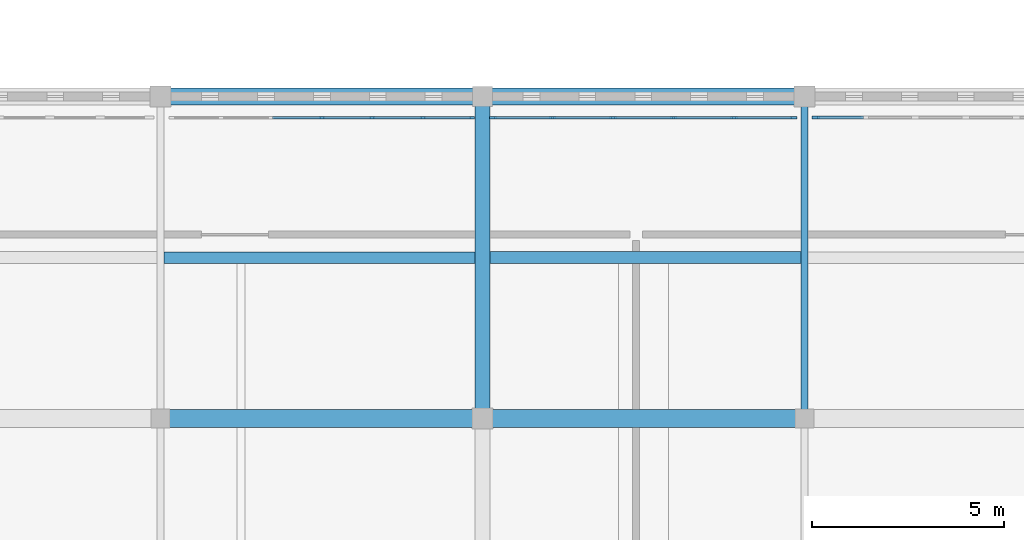
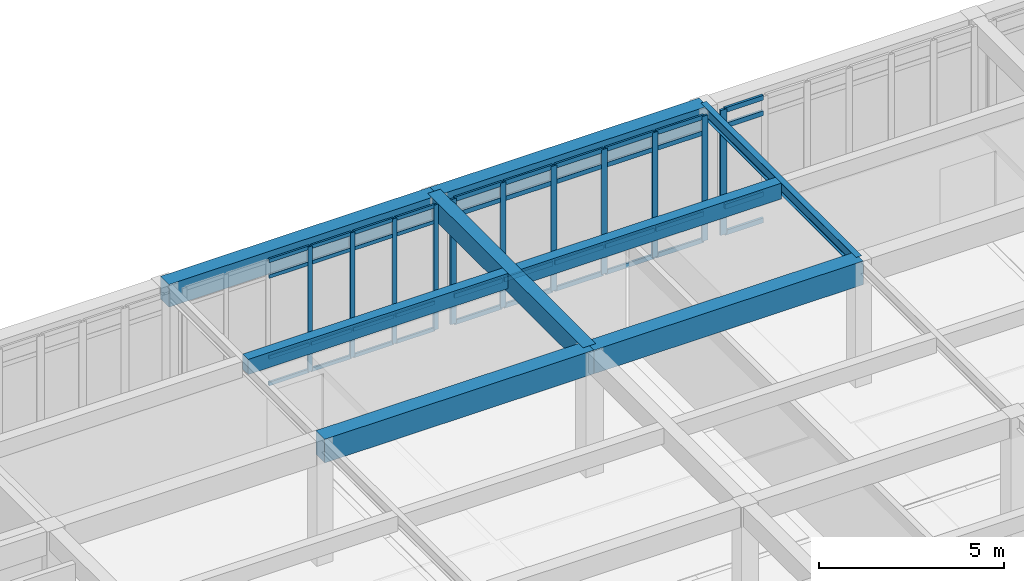
# One storey, part 62 of 192: 51 members, 8 beams, 3 elements without a shape of their own.
"""IFC4 building model written with IfcOpenShell, lengths in metres."""

from ifc_helpers import new_model, si_unit, direction, frame, origin, origin_2d, place, context, subcontext, project, spatial, rectangle, i_section, extrude, material, layer, layer_set, material_profile, profile_set, type_object, element, aggregate, save


model = new_model("IFC4")

# Units and contexts
model_context = context("Model", 3, precision=1e-05, world=origin(), true_north=direction((0.0, 1.0)))
body_context = subcontext(model_context, "Body", "Model", "MODEL_VIEW")
ifc_project = project(units=[si_unit("LENGTHUNIT", "METRE"), si_unit("AREAUNIT", "SQUARE_METRE"), si_unit("VOLUMEUNIT", "CUBIC_METRE"), si_unit("PLANEANGLEUNIT", "RADIAN"), si_unit("MASSUNIT", "GRAM", prefix="KILO")], contexts=[model_context])

# Site, building, storey
site_placement = place(None, origin())
site = spatial("IfcSite", under=ifc_project, at=site_placement, CompositionType="ELEMENT")
building_placement = place(site_placement, origin())
building = spatial("IfcBuilding", under=site, at=building_placement, Name="Kveldsbrygga Polytechnic", CompositionType="ELEMENT")
storey_placement = place(building_placement, frame((0.0, 0.0, 5.43994140625)))
storey = spatial("IfcBuildingStorey", under=building, at=storey_placement, Name="L01", CompositionType="ELEMENT", Elevation=5.43994140625)

# Beams
ifc_material_1 = material(Name="Concrete C35/45", Category="concrete")
ifc_material_profile_1 = material_profile(ifc_material_1, rectangle(XDim=0.39990234375, YDim=0.64990234375, at=origin_2d()), Name="RC 400x650")
ifc_profile_set_1 = profile_set([ifc_material_profile_1], Name="Concrete C35/45")
beam_type_1 = type_object("IfcBeamType", Name="BM-RC-400x650", PredefinedType="BEAM", material=ifc_profile_set_1)
beam_1_placement = place(storey_placement, frame((100.800048828125, 16.800048828125, 3.795166015625), z_axis=(0.0, 1.0, 0.0), x_axis=(-1.0, 0.0, 0.0)))
element("IfcBeam", 1, at=beam_1_placement, inside=storey, type_object=beam_type_1, Name="Primary Beam BMY-L01-12-02to03", PredefinedType="BEAM", context=body_context, shape_type="SweptSolid", body=[
    extrude(rectangle(XDim=0.39990234375, YDim=0.64990234375, at=origin_2d()), origin(), (0.0, 0.0, 1.0), 8.39990234375),
])
ifc_material_profile_2 = material_profile(ifc_material_1, rectangle(XDim=0.449951171875, YDim=0.75, at=origin_2d()), Name="RC 450x750")
ifc_profile_set_2 = profile_set([ifc_material_profile_2], Name="Concrete C35/45")
beam_type_2 = type_object("IfcBeamType", Name="BM-RC-450x750", PredefinedType="BEAM", material=ifc_profile_set_2)
beam_2_placement = place(storey_placement, frame((92.39990234375, 25.199951171875, 3.7451171875), z_axis=(1.0, 0.0, 0.0), x_axis=(0.0, 1.0, 0.0)))
element("IfcBeam", 2, at=beam_2_placement, inside=storey, type_object=beam_type_2, Name="Primary Beam BMX-L01-11to12-03", PredefinedType="BEAM", context=body_context, shape_type="SweptSolid", body=[
    extrude(rectangle(XDim=0.449951171875, YDim=0.75, at=origin_2d()), origin(), (0.0, 0.0, 1.0), 8.400146484375),
])
beam_3_placement = place(storey_placement, frame((100.800048828125, 25.199951171875, 3.7451171875), z_axis=(1.0, 0.0, 0.0), x_axis=(0.0, 1.0, 0.0)))
element("IfcBeam", 3, at=beam_3_placement, inside=storey, type_object=beam_type_2, Name="Primary Beam BMX-L01-12to13-03", PredefinedType="BEAM", context=body_context, shape_type="SweptSolid", body=[
    extrude(rectangle(XDim=0.449951171875, YDim=0.75, at=origin_2d()), origin(), (0.0, 0.0, 1.0), 8.39990234375),
])
ifc_material_profile_3 = material_profile(ifc_material_1, rectangle(XDim=0.47998046875, YDim=0.780029296875, at=origin_2d()), Name="RC 480x780")
ifc_profile_set_3 = profile_set([ifc_material_profile_3], Name="Concrete C35/45")
beam_type_3 = type_object("IfcBeamType", Name="BM-RC-480x780", PredefinedType="BEAM", material=ifc_profile_set_3)
beam_4_placement = place(storey_placement, frame((92.39990234375, 16.800048828125, 3.72998046875), z_axis=(1.0, 0.0, 0.0), x_axis=(0.0, 1.0, 0.0)))
element("IfcBeam", 4, at=beam_4_placement, inside=storey, type_object=beam_type_3, Name="Primary Beam BMX-L01-11to12-02", PredefinedType="BEAM", context=body_context, shape_type="SweptSolid", body=[
    extrude(rectangle(XDim=0.47998046875, YDim=0.780029296875, at=origin_2d()), origin(), (0.0, 0.0, 1.0), 8.400146484375),
])
beam_5_placement = place(storey_placement, frame((100.800048828125, 16.800048828125, 3.72998046875), z_axis=(1.0, 0.0, 0.0), x_axis=(0.0, 1.0, 0.0)))
element("IfcBeam", 5, at=beam_5_placement, inside=storey, type_object=beam_type_3, Name="Primary Beam BMX-L01-12to13-02", PredefinedType="BEAM", context=body_context, shape_type="SweptSolid", body=[
    extrude(rectangle(XDim=0.47998046875, YDim=0.780029296875, at=origin_2d()), origin(), (0.0, 0.0, 1.0), 8.39990234375),
])
ifc_material_2 = material(Name="Steel S355", Category="steel")
ifc_material_profile_4 = material_profile(ifc_material_2, i_section(OverallWidth=0.179931640625, OverallDepth=0.39990234375, WebThickness=0.008544921875, FlangeThickness=0.013427734375, FilletRadius=0.02099609375, at=origin_2d()), Name="IPE 400")
ifc_profile_set_4 = profile_set([ifc_material_profile_4], Name="Steel S355")
beam_type_4 = type_object("IfcBeamType", Name="BM-STL-IPE400", PredefinedType="BEAM", material=ifc_profile_set_4)
beam_6_placement = place(storey_placement, frame((109.199951171875, 16.800048828125, 3.920166015625), z_axis=(0.0, 1.0, 0.0), x_axis=(-1.0, 0.0, 0.0)))
element("IfcBeam", 6, at=beam_6_placement, inside=storey, type_object=beam_type_4, Name="Primary Beam BMY-L01-13-02to03", PredefinedType="BEAM", context=body_context, shape_type="SweptSolid", body=[
    extrude(i_section(OverallWidth=0.179931640625, OverallDepth=0.39990234375, WebThickness=0.008544921875, FlangeThickness=0.013427734375, FilletRadius=0.02099609375, at=origin_2d()), origin(), (0.0, 0.0, 1.0), 8.39990234375),
])

# Curtain wall, members
ifc_material_3 = material(Name="Anodised aluminium AW-6060", Category="aluminium")
ifc_layer_1 = layer(ifc_material_3, 0.179931640625)
ifc_layer_set_1 = layer_set([ifc_layer_1], Name="Anodised aluminium AW-6060")
curtain_wall_type_1 = type_object("IfcCurtainWallType", Name="CW-CONC-A", PredefinedType="USERDEFINED", material=ifc_layer_set_1)
curtain_wall_1_placement = place(storey_placement, origin())
curtain_wall_1 = element("IfcCurtainWall", 7, at=curtain_wall_1_placement, inside=storey, type_object=curtain_wall_type_1, Name="Curtain Wall CW-L01-X-11-03", ObjectType="UNITISED CURTAIN WALL", PredefinedType="USERDEFINED")
ifc_material_profile_5 = material_profile(ifc_material_3, rectangle(XDim=0.06005859375, YDim=0.139892578125, at=origin_2d()), Name="ALU 60x140")
ifc_profile_set_5 = profile_set([ifc_material_profile_5], Name="Anodised aluminium AW-6060")
member_type_1 = type_object("IfcMemberType", Name="CW-MUL-140", PredefinedType="MULLION", material=ifc_profile_set_5)
member_1_placement = place(storey_placement, frame((96.607421875, 24.64990234375, 0.0), z_axis=(0.0, 0.0, 1.0), x_axis=(0.0, 1.0, 0.0)))
member_1 = element("IfcMember", 8, at=member_1_placement, type_object=member_type_1, Name="CW-01 mullion 4", PredefinedType="MULLION", context=body_context, shape_type="SweptSolid", body=[
    extrude(rectangle(XDim=0.06005859375, YDim=0.139892578125, at=origin_2d()), origin(), (0.0, 0.0, 1.0), 4.1201171875),
])
member_2_placement = place(storey_placement, frame((97.92333984375, 24.64990234375, 0.0), z_axis=(0.0, 0.0, 1.0), x_axis=(0.0, 1.0, 0.0)))
member_2 = element("IfcMember", 9, at=member_2_placement, type_object=member_type_1, Name="CW-01 mullion 5", PredefinedType="MULLION", context=body_context, shape_type="SweptSolid", body=[
    extrude(rectangle(XDim=0.06005859375, YDim=0.139892578125, at=origin_2d()), origin(), (0.0, 0.0, 1.0), 4.1201171875),
])
member_3_placement = place(storey_placement, frame((99.2392578125, 24.64990234375, 0.0), z_axis=(0.0, 0.0, 1.0), x_axis=(0.0, 1.0, 0.0)))
member_3 = element("IfcMember", 10, at=member_3_placement, type_object=member_type_1, Name="CW-01 mullion 6", PredefinedType="MULLION", context=body_context, shape_type="SweptSolid", body=[
    extrude(rectangle(XDim=0.06005859375, YDim=0.139892578125, at=origin_2d()), origin(), (0.0, 0.0, 1.0), 4.1201171875),
])
member_4_placement = place(storey_placement, frame((100.52490234375, 24.64990234375, 0.0), z_axis=(0.0, 0.0, 1.0), x_axis=(0.0, 1.0, 0.0)))
member_4 = element("IfcMember", 11, at=member_4_placement, type_object=member_type_1, Name="CW-01 mullion 7", PredefinedType="MULLION", context=body_context, shape_type="SweptSolid", body=[
    extrude(rectangle(XDim=0.06005859375, YDim=0.139892578125, at=origin_2d()), origin(), (0.0, 0.0, 1.0), 4.1201171875),
])

ifc_layer_2 = layer(ifc_material_3, 0.199951171875)
ifc_layer_set_2 = layer_set([ifc_layer_2], Name="Anodised aluminium AW-6060")
curtain_wall_type_2 = type_object("IfcCurtainWallType", Name="CW-CONC-B", PredefinedType="USERDEFINED", material=ifc_layer_set_2)
curtain_wall_2_placement = place(storey_placement, origin())
curtain_wall_2 = element("IfcCurtainWall", 12, at=curtain_wall_2_placement, inside=storey, type_object=curtain_wall_type_2, Name="Curtain Wall CW-L01-X-12-03", ObjectType="UNITISED CURTAIN WALL", PredefinedType="USERDEFINED")
ifc_material_profile_6 = material_profile(ifc_material_3, rectangle(XDim=0.06005859375, YDim=0.179931640625, at=origin_2d()), Name="ALU 60x180")
ifc_profile_set_6 = profile_set([ifc_material_profile_6], Name="Anodised aluminium AW-6060")
member_type_2 = type_object("IfcMemberType", Name="CW-MUL-180", PredefinedType="MULLION", material=ifc_profile_set_6)
member_5_placement = place(storey_placement, frame((101.074951171875, 24.64990234375, 0.0), z_axis=(0.0, 0.0, 1.0), x_axis=(0.0, 1.0, 0.0)))
member_5 = element("IfcMember", 13, at=member_5_placement, type_object=member_type_2, Name="CW-02 mullion 1", PredefinedType="MULLION", context=body_context, shape_type="SweptSolid", body=[
    extrude(rectangle(XDim=0.06005859375, YDim=0.179931640625, at=origin_2d()), origin(), (0.0, 0.0, 1.0), 4.1201171875),
])
member_6_placement = place(storey_placement, frame((102.6240234375, 24.64990234375, 0.0), z_axis=(0.0, 0.0, 1.0), x_axis=(0.0, 1.0, 0.0)))
member_6 = element("IfcMember", 14, at=member_6_placement, type_object=member_type_2, Name="CW-02 mullion 2", PredefinedType="MULLION", context=body_context, shape_type="SweptSolid", body=[
    extrude(rectangle(XDim=0.06005859375, YDim=0.179931640625, at=origin_2d()), origin(), (0.0, 0.0, 1.0), 4.1201171875),
])
member_7_placement = place(storey_placement, frame((104.202880859375, 24.64990234375, 0.0), z_axis=(0.0, 0.0, 1.0), x_axis=(0.0, 1.0, 0.0)))
member_7 = element("IfcMember", 15, at=member_7_placement, type_object=member_type_2, Name="CW-02 mullion 3", PredefinedType="MULLION", context=body_context, shape_type="SweptSolid", body=[
    extrude(rectangle(XDim=0.06005859375, YDim=0.179931640625, at=origin_2d()), origin(), (0.0, 0.0, 1.0), 4.1201171875),
])
member_8_placement = place(storey_placement, frame((105.781982421875, 24.64990234375, 0.0), z_axis=(0.0, 0.0, 1.0), x_axis=(0.0, 1.0, 0.0)))
member_8 = element("IfcMember", 16, at=member_8_placement, type_object=member_type_2, Name="CW-02 mullion 4", PredefinedType="MULLION", context=body_context, shape_type="SweptSolid", body=[
    extrude(rectangle(XDim=0.06005859375, YDim=0.179931640625, at=origin_2d()), origin(), (0.0, 0.0, 1.0), 4.1201171875),
])
member_9_placement = place(storey_placement, frame((107.361083984375, 24.64990234375, 0.0), z_axis=(0.0, 0.0, 1.0), x_axis=(0.0, 1.0, 0.0)))
member_9 = element("IfcMember", 17, at=member_9_placement, type_object=member_type_2, Name="CW-02 mullion 5", PredefinedType="MULLION", context=body_context, shape_type="SweptSolid", body=[
    extrude(rectangle(XDim=0.06005859375, YDim=0.179931640625, at=origin_2d()), origin(), (0.0, 0.0, 1.0), 4.1201171875),
])
member_10_placement = place(storey_placement, frame((108.909912109375, 24.64990234375, 0.0), z_axis=(0.0, 0.0, 1.0), x_axis=(0.0, 1.0, 0.0)))
member_10 = element("IfcMember", 18, at=member_10_placement, type_object=member_type_2, Name="CW-02 mullion 6", PredefinedType="MULLION", context=body_context, shape_type="SweptSolid", body=[
    extrude(rectangle(XDim=0.06005859375, YDim=0.179931640625, at=origin_2d()), origin(), (0.0, 0.0, 1.0), 4.1201171875),
])

# Curtain wall, member
ifc_layer_3 = layer(ifc_material_3, 0.159912109375)
ifc_layer_set_3 = layer_set([ifc_layer_3], Name="Anodised aluminium AW-6060")
curtain_wall_type_3 = type_object("IfcCurtainWallType", Name="CW-CLER-C", PredefinedType="USERDEFINED", material=ifc_layer_set_3)
curtain_wall_3_placement = place(storey_placement, origin())
curtain_wall_3 = element("IfcCurtainWall", 19, at=curtain_wall_3_placement, inside=storey, type_object=curtain_wall_type_3, Name="Curtain Wall CW-L01-X-13-03", ObjectType="STICK CURTAIN WALL", PredefinedType="USERDEFINED")
ifc_material_profile_7 = material_profile(ifc_material_3, rectangle(XDim=0.074951171875, YDim=0.199951171875, at=origin_2d()), Name="ALU 75x200")
ifc_profile_set_7 = profile_set([ifc_material_profile_7], Name="Anodised aluminium AW-6060")
member_type_3 = type_object("IfcMemberType", Name="CW-MUL-200", PredefinedType="MULLION", material=ifc_profile_set_7)
member_11_placement = place(storey_placement, frame((109.49755859375, 24.64990234375, 0.0), z_axis=(0.0, 0.0, 1.0), x_axis=(0.0, 1.0, 0.0)))
member_11 = element("IfcMember", 20, at=member_11_placement, type_object=member_type_3, Name="CW-03 mullion 1", PredefinedType="MULLION", context=body_context, shape_type="SweptSolid", body=[
    extrude(rectangle(XDim=0.074951171875, YDim=0.199951171875, at=origin_2d()), origin(), (0.0, 0.0, 1.0), 4.1201171875),
])

# Member
ifc_material_profile_8 = material_profile(ifc_material_3, rectangle(XDim=0.06005859375, YDim=0.1201171875, at=origin_2d()), Name="ALU 60x120")
ifc_profile_set_8 = profile_set([ifc_material_profile_8], Name="Anodised aluminium AW-6060")
member_type_4 = type_object("IfcMemberType", Name="CW-TRN-120", PredefinedType="USERDEFINED", material=ifc_profile_set_8)
member_12_placement = place(storey_placement, frame((95.32177734375, 24.64990234375, 0.030029296875), z_axis=(1.0, 0.0, 0.0), x_axis=(0.0, 1.0, 0.0)))
member_12 = element("IfcMember", 21, at=member_12_placement, type_object=member_type_4, Name="CW-01 transom 3.1", ObjectType="TRANSOM", PredefinedType="USERDEFINED", context=body_context, shape_type="SweptSolid", body=[
    extrude(rectangle(XDim=0.06005859375, YDim=0.1201171875, at=origin_2d()), origin(), (0.0, 0.0, 1.0), 1.255615234375),
])

member_13_placement = place(storey_placement, frame((95.32177734375, 24.64990234375, 0.900146484375), z_axis=(1.0, 0.0, 0.0), x_axis=(0.0, 1.0, 0.0)))
member_13 = element("IfcMember", 22, at=member_13_placement, type_object=member_type_4, Name="CW-01 transom 3.2", ObjectType="TRANSOM", PredefinedType="USERDEFINED", context=body_context, shape_type="SweptSolid", body=[
    extrude(rectangle(XDim=0.06005859375, YDim=0.1201171875, at=origin_2d()), origin(), (0.0, 0.0, 1.0), 1.255615234375),
])

member_14_placement = place(storey_placement, frame((95.32177734375, 24.64990234375, 3.570068359375), z_axis=(1.0, 0.0, 0.0), x_axis=(0.0, 1.0, 0.0)))
member_14 = element("IfcMember", 23, at=member_14_placement, type_object=member_type_4, Name="CW-01 transom 3.3", ObjectType="TRANSOM", PredefinedType="USERDEFINED", context=body_context, shape_type="SweptSolid", body=[
    extrude(rectangle(XDim=0.06005859375, YDim=0.1201171875, at=origin_2d()), origin(), (0.0, 0.0, 1.0), 1.255615234375),
])

member_15_placement = place(storey_placement, frame((95.32177734375, 24.64990234375, 4.090087890625), z_axis=(1.0, 0.0, 0.0), x_axis=(0.0, 1.0, 0.0)))
member_15 = element("IfcMember", 24, at=member_15_placement, type_object=member_type_4, Name="CW-01 transom 3.4", ObjectType="TRANSOM", PredefinedType="USERDEFINED", context=body_context, shape_type="SweptSolid", body=[
    extrude(rectangle(XDim=0.06005859375, YDim=0.1201171875, at=origin_2d()), origin(), (0.0, 0.0, 1.0), 1.255615234375),
])

member_16_placement = place(storey_placement, frame((96.637451171875, 24.64990234375, 0.030029296875), z_axis=(1.0, 0.0, 0.0), x_axis=(0.0, 1.0, 0.0)))
member_16 = element("IfcMember", 25, at=member_16_placement, type_object=member_type_4, Name="CW-01 transom 4.1", ObjectType="TRANSOM", PredefinedType="USERDEFINED", context=body_context, shape_type="SweptSolid", body=[
    extrude(rectangle(XDim=0.06005859375, YDim=0.1201171875, at=origin_2d()), origin(), (0.0, 0.0, 1.0), 1.255859375),
])

member_17_placement = place(storey_placement, frame((96.637451171875, 24.64990234375, 0.900146484375), z_axis=(1.0, 0.0, 0.0), x_axis=(0.0, 1.0, 0.0)))
member_17 = element("IfcMember", 26, at=member_17_placement, type_object=member_type_4, Name="CW-01 transom 4.2", ObjectType="TRANSOM", PredefinedType="USERDEFINED", context=body_context, shape_type="SweptSolid", body=[
    extrude(rectangle(XDim=0.06005859375, YDim=0.1201171875, at=origin_2d()), origin(), (0.0, 0.0, 1.0), 1.255859375),
])

member_18_placement = place(storey_placement, frame((96.637451171875, 24.64990234375, 3.570068359375), z_axis=(1.0, 0.0, 0.0), x_axis=(0.0, 1.0, 0.0)))
member_18 = element("IfcMember", 27, at=member_18_placement, type_object=member_type_4, Name="CW-01 transom 4.3", ObjectType="TRANSOM", PredefinedType="USERDEFINED", context=body_context, shape_type="SweptSolid", body=[
    extrude(rectangle(XDim=0.06005859375, YDim=0.1201171875, at=origin_2d()), origin(), (0.0, 0.0, 1.0), 1.255859375),
])

member_19_placement = place(storey_placement, frame((96.637451171875, 24.64990234375, 4.090087890625), z_axis=(1.0, 0.0, 0.0), x_axis=(0.0, 1.0, 0.0)))
member_19 = element("IfcMember", 28, at=member_19_placement, type_object=member_type_4, Name="CW-01 transom 4.4", ObjectType="TRANSOM", PredefinedType="USERDEFINED", context=body_context, shape_type="SweptSolid", body=[
    extrude(rectangle(XDim=0.06005859375, YDim=0.1201171875, at=origin_2d()), origin(), (0.0, 0.0, 1.0), 1.255859375),
])

member_20_placement = place(storey_placement, frame((97.953369140625, 24.64990234375, 0.030029296875), z_axis=(1.0, 0.0, 0.0), x_axis=(0.0, 1.0, 0.0)))
member_20 = element("IfcMember", 29, at=member_20_placement, type_object=member_type_4, Name="CW-01 transom 5.1", ObjectType="TRANSOM", PredefinedType="USERDEFINED", context=body_context, shape_type="SweptSolid", body=[
    extrude(rectangle(XDim=0.06005859375, YDim=0.1201171875, at=origin_2d()), origin(), (0.0, 0.0, 1.0), 1.255859375),
])

member_21_placement = place(storey_placement, frame((97.953369140625, 24.64990234375, 0.900146484375), z_axis=(1.0, 0.0, 0.0), x_axis=(0.0, 1.0, 0.0)))
member_21 = element("IfcMember", 30, at=member_21_placement, type_object=member_type_4, Name="CW-01 transom 5.2", ObjectType="TRANSOM", PredefinedType="USERDEFINED", context=body_context, shape_type="SweptSolid", body=[
    extrude(rectangle(XDim=0.06005859375, YDim=0.1201171875, at=origin_2d()), origin(), (0.0, 0.0, 1.0), 1.255859375),
])

member_22_placement = place(storey_placement, frame((97.953369140625, 24.64990234375, 3.570068359375), z_axis=(1.0, 0.0, 0.0), x_axis=(0.0, 1.0, 0.0)))
member_22 = element("IfcMember", 31, at=member_22_placement, type_object=member_type_4, Name="CW-01 transom 5.3", ObjectType="TRANSOM", PredefinedType="USERDEFINED", context=body_context, shape_type="SweptSolid", body=[
    extrude(rectangle(XDim=0.06005859375, YDim=0.1201171875, at=origin_2d()), origin(), (0.0, 0.0, 1.0), 1.255859375),
])

member_23_placement = place(storey_placement, frame((97.953369140625, 24.64990234375, 4.090087890625), z_axis=(1.0, 0.0, 0.0), x_axis=(0.0, 1.0, 0.0)))
member_23 = element("IfcMember", 32, at=member_23_placement, type_object=member_type_4, Name="CW-01 transom 5.4", ObjectType="TRANSOM", PredefinedType="USERDEFINED", context=body_context, shape_type="SweptSolid", body=[
    extrude(rectangle(XDim=0.06005859375, YDim=0.1201171875, at=origin_2d()), origin(), (0.0, 0.0, 1.0), 1.255859375),
])

member_24_placement = place(storey_placement, frame((99.269287109375, 24.64990234375, 0.030029296875), z_axis=(1.0, 0.0, 0.0), x_axis=(0.0, 1.0, 0.0)))
member_24 = element("IfcMember", 33, at=member_24_placement, type_object=member_type_4, Name="CW-01 transom 6.1", ObjectType="TRANSOM", PredefinedType="USERDEFINED", context=body_context, shape_type="SweptSolid", body=[
    extrude(rectangle(XDim=0.06005859375, YDim=0.1201171875, at=origin_2d()), origin(), (0.0, 0.0, 1.0), 1.225830078125),
])

member_25_placement = place(storey_placement, frame((99.269287109375, 24.64990234375, 0.900146484375), z_axis=(1.0, 0.0, 0.0), x_axis=(0.0, 1.0, 0.0)))
member_25 = element("IfcMember", 34, at=member_25_placement, type_object=member_type_4, Name="CW-01 transom 6.2", ObjectType="TRANSOM", PredefinedType="USERDEFINED", context=body_context, shape_type="SweptSolid", body=[
    extrude(rectangle(XDim=0.06005859375, YDim=0.1201171875, at=origin_2d()), origin(), (0.0, 0.0, 1.0), 1.225830078125),
])

member_26_placement = place(storey_placement, frame((99.269287109375, 24.64990234375, 3.570068359375), z_axis=(1.0, 0.0, 0.0), x_axis=(0.0, 1.0, 0.0)))
member_26 = element("IfcMember", 35, at=member_26_placement, type_object=member_type_4, Name="CW-01 transom 6.3", ObjectType="TRANSOM", PredefinedType="USERDEFINED", context=body_context, shape_type="SweptSolid", body=[
    extrude(rectangle(XDim=0.06005859375, YDim=0.1201171875, at=origin_2d()), origin(), (0.0, 0.0, 1.0), 1.225830078125),
])

member_27_placement = place(storey_placement, frame((99.269287109375, 24.64990234375, 4.090087890625), z_axis=(1.0, 0.0, 0.0), x_axis=(0.0, 1.0, 0.0)))
member_27 = element("IfcMember", 36, at=member_27_placement, type_object=member_type_4, Name="CW-01 transom 6.4", ObjectType="TRANSOM", PredefinedType="USERDEFINED", context=body_context, shape_type="SweptSolid", body=[
    extrude(rectangle(XDim=0.06005859375, YDim=0.1201171875, at=origin_2d()), origin(), (0.0, 0.0, 1.0), 1.225830078125),
])

aggregate(curtain_wall_1, [member_1, member_2, member_3, member_4, member_12, member_13, member_14, member_15, member_16, member_17, member_18, member_19, member_20, member_21, member_22, member_23, member_24, member_25, member_26, member_27])

ifc_material_profile_9 = material_profile(ifc_material_3, rectangle(XDim=0.06005859375, YDim=0.14990234375, at=origin_2d()), Name="ALU 60x150")
ifc_profile_set_9 = profile_set([ifc_material_profile_9], Name="Anodised aluminium AW-6060")
member_type_5 = type_object("IfcMemberType", Name="CW-TRN-150", PredefinedType="USERDEFINED", material=ifc_profile_set_9)
member_28_placement = place(storey_placement, frame((101.10498046875, 24.64990234375, 0.030029296875), z_axis=(1.0, 0.0, 0.0), x_axis=(0.0, 1.0, 0.0)))
member_28 = element("IfcMember", 37, at=member_28_placement, type_object=member_type_5, Name="CW-02 transom 1.1", ObjectType="TRANSOM", PredefinedType="USERDEFINED", context=body_context, shape_type="SweptSolid", body=[
    extrude(rectangle(XDim=0.06005859375, YDim=0.14990234375, at=origin_2d()), origin(), (0.0, 0.0, 1.0), 1.489013671875),
])

member_29_placement = place(storey_placement, frame((101.10498046875, 24.64990234375, 0.900146484375), z_axis=(1.0, 0.0, 0.0), x_axis=(0.0, 1.0, 0.0)))
member_29 = element("IfcMember", 38, at=member_29_placement, type_object=member_type_5, Name="CW-02 transom 1.2", ObjectType="TRANSOM", PredefinedType="USERDEFINED", context=body_context, shape_type="SweptSolid", body=[
    extrude(rectangle(XDim=0.06005859375, YDim=0.14990234375, at=origin_2d()), origin(), (0.0, 0.0, 1.0), 1.489013671875),
])

member_30_placement = place(storey_placement, frame((101.10498046875, 24.64990234375, 3.570068359375), z_axis=(1.0, 0.0, 0.0), x_axis=(0.0, 1.0, 0.0)))
member_30 = element("IfcMember", 39, at=member_30_placement, type_object=member_type_5, Name="CW-02 transom 1.3", ObjectType="TRANSOM", PredefinedType="USERDEFINED", context=body_context, shape_type="SweptSolid", body=[
    extrude(rectangle(XDim=0.06005859375, YDim=0.14990234375, at=origin_2d()), origin(), (0.0, 0.0, 1.0), 1.489013671875),
])

member_31_placement = place(storey_placement, frame((101.10498046875, 24.64990234375, 4.090087890625), z_axis=(1.0, 0.0, 0.0), x_axis=(0.0, 1.0, 0.0)))
member_31 = element("IfcMember", 40, at=member_31_placement, type_object=member_type_5, Name="CW-02 transom 1.4", ObjectType="TRANSOM", PredefinedType="USERDEFINED", context=body_context, shape_type="SweptSolid", body=[
    extrude(rectangle(XDim=0.06005859375, YDim=0.14990234375, at=origin_2d()), origin(), (0.0, 0.0, 1.0), 1.489013671875),
])

member_32_placement = place(storey_placement, frame((102.654052734375, 24.64990234375, 0.030029296875), z_axis=(1.0, 0.0, 0.0), x_axis=(0.0, 1.0, 0.0)))
member_32 = element("IfcMember", 41, at=member_32_placement, type_object=member_type_5, Name="CW-02 transom 2.1", ObjectType="TRANSOM", PredefinedType="USERDEFINED", context=body_context, shape_type="SweptSolid", body=[
    extrude(rectangle(XDim=0.06005859375, YDim=0.14990234375, at=origin_2d()), origin(), (0.0, 0.0, 1.0), 1.51904296875),
])

member_33_placement = place(storey_placement, frame((102.654052734375, 24.64990234375, 0.900146484375), z_axis=(1.0, 0.0, 0.0), x_axis=(0.0, 1.0, 0.0)))
member_33 = element("IfcMember", 42, at=member_33_placement, type_object=member_type_5, Name="CW-02 transom 2.2", ObjectType="TRANSOM", PredefinedType="USERDEFINED", context=body_context, shape_type="SweptSolid", body=[
    extrude(rectangle(XDim=0.06005859375, YDim=0.14990234375, at=origin_2d()), origin(), (0.0, 0.0, 1.0), 1.51904296875),
])

member_34_placement = place(storey_placement, frame((102.654052734375, 24.64990234375, 3.570068359375), z_axis=(1.0, 0.0, 0.0), x_axis=(0.0, 1.0, 0.0)))
member_34 = element("IfcMember", 43, at=member_34_placement, type_object=member_type_5, Name="CW-02 transom 2.3", ObjectType="TRANSOM", PredefinedType="USERDEFINED", context=body_context, shape_type="SweptSolid", body=[
    extrude(rectangle(XDim=0.06005859375, YDim=0.14990234375, at=origin_2d()), origin(), (0.0, 0.0, 1.0), 1.51904296875),
])

member_35_placement = place(storey_placement, frame((102.654052734375, 24.64990234375, 4.090087890625), z_axis=(1.0, 0.0, 0.0), x_axis=(0.0, 1.0, 0.0)))
member_35 = element("IfcMember", 44, at=member_35_placement, type_object=member_type_5, Name="CW-02 transom 2.4", ObjectType="TRANSOM", PredefinedType="USERDEFINED", context=body_context, shape_type="SweptSolid", body=[
    extrude(rectangle(XDim=0.06005859375, YDim=0.14990234375, at=origin_2d()), origin(), (0.0, 0.0, 1.0), 1.51904296875),
])

member_36_placement = place(storey_placement, frame((104.23291015625, 24.64990234375, 0.030029296875), z_axis=(1.0, 0.0, 0.0), x_axis=(0.0, 1.0, 0.0)))
member_36 = element("IfcMember", 45, at=member_36_placement, type_object=member_type_5, Name="CW-02 transom 3.1", ObjectType="TRANSOM", PredefinedType="USERDEFINED", context=body_context, shape_type="SweptSolid", body=[
    extrude(rectangle(XDim=0.06005859375, YDim=0.14990234375, at=origin_2d()), origin(), (0.0, 0.0, 1.0), 1.51904296875),
])

member_37_placement = place(storey_placement, frame((104.23291015625, 24.64990234375, 0.900146484375), z_axis=(1.0, 0.0, 0.0), x_axis=(0.0, 1.0, 0.0)))
member_37 = element("IfcMember", 46, at=member_37_placement, type_object=member_type_5, Name="CW-02 transom 3.2", ObjectType="TRANSOM", PredefinedType="USERDEFINED", context=body_context, shape_type="SweptSolid", body=[
    extrude(rectangle(XDim=0.06005859375, YDim=0.14990234375, at=origin_2d()), origin(), (0.0, 0.0, 1.0), 1.51904296875),
])

member_38_placement = place(storey_placement, frame((104.23291015625, 24.64990234375, 3.570068359375), z_axis=(1.0, 0.0, 0.0), x_axis=(0.0, 1.0, 0.0)))
member_38 = element("IfcMember", 47, at=member_38_placement, type_object=member_type_5, Name="CW-02 transom 3.3", ObjectType="TRANSOM", PredefinedType="USERDEFINED", context=body_context, shape_type="SweptSolid", body=[
    extrude(rectangle(XDim=0.06005859375, YDim=0.14990234375, at=origin_2d()), origin(), (0.0, 0.0, 1.0), 1.51904296875),
])

member_39_placement = place(storey_placement, frame((104.23291015625, 24.64990234375, 4.090087890625), z_axis=(1.0, 0.0, 0.0), x_axis=(0.0, 1.0, 0.0)))
member_39 = element("IfcMember", 48, at=member_39_placement, type_object=member_type_5, Name="CW-02 transom 3.4", ObjectType="TRANSOM", PredefinedType="USERDEFINED", context=body_context, shape_type="SweptSolid", body=[
    extrude(rectangle(XDim=0.06005859375, YDim=0.14990234375, at=origin_2d()), origin(), (0.0, 0.0, 1.0), 1.51904296875),
])

member_40_placement = place(storey_placement, frame((105.81201171875, 24.64990234375, 0.030029296875), z_axis=(1.0, 0.0, 0.0), x_axis=(0.0, 1.0, 0.0)))
member_40 = element("IfcMember", 49, at=member_40_placement, type_object=member_type_5, Name="CW-02 transom 4.1", ObjectType="TRANSOM", PredefinedType="USERDEFINED", context=body_context, shape_type="SweptSolid", body=[
    extrude(rectangle(XDim=0.06005859375, YDim=0.14990234375, at=origin_2d()), origin(), (0.0, 0.0, 1.0), 1.51904296875),
])

member_41_placement = place(storey_placement, frame((105.81201171875, 24.64990234375, 0.900146484375), z_axis=(1.0, 0.0, 0.0), x_axis=(0.0, 1.0, 0.0)))
member_41 = element("IfcMember", 50, at=member_41_placement, type_object=member_type_5, Name="CW-02 transom 4.2", ObjectType="TRANSOM", PredefinedType="USERDEFINED", context=body_context, shape_type="SweptSolid", body=[
    extrude(rectangle(XDim=0.06005859375, YDim=0.14990234375, at=origin_2d()), origin(), (0.0, 0.0, 1.0), 1.51904296875),
])

member_42_placement = place(storey_placement, frame((105.81201171875, 24.64990234375, 3.570068359375), z_axis=(1.0, 0.0, 0.0), x_axis=(0.0, 1.0, 0.0)))
member_42 = element("IfcMember", 51, at=member_42_placement, type_object=member_type_5, Name="CW-02 transom 4.3", ObjectType="TRANSOM", PredefinedType="USERDEFINED", context=body_context, shape_type="SweptSolid", body=[
    extrude(rectangle(XDim=0.06005859375, YDim=0.14990234375, at=origin_2d()), origin(), (0.0, 0.0, 1.0), 1.51904296875),
])

member_43_placement = place(storey_placement, frame((105.81201171875, 24.64990234375, 4.090087890625), z_axis=(1.0, 0.0, 0.0), x_axis=(0.0, 1.0, 0.0)))
member_43 = element("IfcMember", 52, at=member_43_placement, type_object=member_type_5, Name="CW-02 transom 4.4", ObjectType="TRANSOM", PredefinedType="USERDEFINED", context=body_context, shape_type="SweptSolid", body=[
    extrude(rectangle(XDim=0.06005859375, YDim=0.14990234375, at=origin_2d()), origin(), (0.0, 0.0, 1.0), 1.51904296875),
])

member_44_placement = place(storey_placement, frame((107.39111328125, 24.64990234375, 0.030029296875), z_axis=(1.0, 0.0, 0.0), x_axis=(0.0, 1.0, 0.0)))
member_44 = element("IfcMember", 53, at=member_44_placement, type_object=member_type_5, Name="CW-02 transom 5.1", ObjectType="TRANSOM", PredefinedType="USERDEFINED", context=body_context, shape_type="SweptSolid", body=[
    extrude(rectangle(XDim=0.06005859375, YDim=0.14990234375, at=origin_2d()), origin(), (0.0, 0.0, 1.0), 1.48876953125),
])

member_45_placement = place(storey_placement, frame((107.39111328125, 24.64990234375, 0.900146484375), z_axis=(1.0, 0.0, 0.0), x_axis=(0.0, 1.0, 0.0)))
member_45 = element("IfcMember", 54, at=member_45_placement, type_object=member_type_5, Name="CW-02 transom 5.2", ObjectType="TRANSOM", PredefinedType="USERDEFINED", context=body_context, shape_type="SweptSolid", body=[
    extrude(rectangle(XDim=0.06005859375, YDim=0.14990234375, at=origin_2d()), origin(), (0.0, 0.0, 1.0), 1.48876953125),
])

member_46_placement = place(storey_placement, frame((107.39111328125, 24.64990234375, 3.570068359375), z_axis=(1.0, 0.0, 0.0), x_axis=(0.0, 1.0, 0.0)))
member_46 = element("IfcMember", 55, at=member_46_placement, type_object=member_type_5, Name="CW-02 transom 5.3", ObjectType="TRANSOM", PredefinedType="USERDEFINED", context=body_context, shape_type="SweptSolid", body=[
    extrude(rectangle(XDim=0.06005859375, YDim=0.14990234375, at=origin_2d()), origin(), (0.0, 0.0, 1.0), 1.48876953125),
])

member_47_placement = place(storey_placement, frame((107.39111328125, 24.64990234375, 4.090087890625), z_axis=(1.0, 0.0, 0.0), x_axis=(0.0, 1.0, 0.0)))
member_47 = element("IfcMember", 56, at=member_47_placement, type_object=member_type_5, Name="CW-02 transom 5.4", ObjectType="TRANSOM", PredefinedType="USERDEFINED", context=body_context, shape_type="SweptSolid", body=[
    extrude(rectangle(XDim=0.06005859375, YDim=0.14990234375, at=origin_2d()), origin(), (0.0, 0.0, 1.0), 1.48876953125),
])

aggregate(curtain_wall_2, [member_5, member_6, member_7, member_8, member_9, member_10, member_28, member_29, member_30, member_31, member_32, member_33, member_34, member_35, member_36, member_37, member_38, member_39, member_40, member_41, member_42, member_43, member_44, member_45, member_46, member_47])

ifc_material_profile_10 = material_profile(ifc_material_3, rectangle(XDim=0.074951171875, YDim=0.159912109375, at=origin_2d()), Name="ALU 75x160")
ifc_profile_set_10 = profile_set([ifc_material_profile_10], Name="Anodised aluminium AW-6060")
member_type_6 = type_object("IfcMemberType", Name="CW-TRN-160", PredefinedType="USERDEFINED", material=ifc_profile_set_10)
member_48_placement = place(storey_placement, frame((109.534912109375, 24.64990234375, 0.03759765625), z_axis=(1.0, 0.0, 0.0), x_axis=(0.0, 1.0, 0.0)))
member_48 = element("IfcMember", 57, at=member_48_placement, type_object=member_type_6, Name="CW-03 transom 1.1", ObjectType="TRANSOM", PredefinedType="USERDEFINED", context=body_context, shape_type="SweptSolid", body=[
    extrude(rectangle(XDim=0.074951171875, YDim=0.159912109375, at=origin_2d()), origin(), (0.0, 0.0, 1.0), 1.203369140625),
])

member_49_placement = place(storey_placement, frame((109.534912109375, 24.64990234375, 0.900146484375), z_axis=(1.0, 0.0, 0.0), x_axis=(0.0, 1.0, 0.0)))
member_49 = element("IfcMember", 58, at=member_49_placement, type_object=member_type_6, Name="CW-03 transom 1.2", ObjectType="TRANSOM", PredefinedType="USERDEFINED", context=body_context, shape_type="SweptSolid", body=[
    extrude(rectangle(XDim=0.074951171875, YDim=0.159912109375, at=origin_2d()), origin(), (0.0, 0.0, 1.0), 1.203369140625),
])

member_50_placement = place(storey_placement, frame((109.534912109375, 24.64990234375, 3.570068359375), z_axis=(1.0, 0.0, 0.0), x_axis=(0.0, 1.0, 0.0)))
member_50 = element("IfcMember", 59, at=member_50_placement, type_object=member_type_6, Name="CW-03 transom 1.3", ObjectType="TRANSOM", PredefinedType="USERDEFINED", context=body_context, shape_type="SweptSolid", body=[
    extrude(rectangle(XDim=0.074951171875, YDim=0.159912109375, at=origin_2d()), origin(), (0.0, 0.0, 1.0), 1.203369140625),
])

member_51_placement = place(storey_placement, frame((109.534912109375, 24.64990234375, 4.08251953125), z_axis=(1.0, 0.0, 0.0), x_axis=(0.0, 1.0, 0.0)))
member_51 = element("IfcMember", 60, at=member_51_placement, type_object=member_type_6, Name="CW-03 transom 1.4", ObjectType="TRANSOM", PredefinedType="USERDEFINED", context=body_context, shape_type="SweptSolid", body=[
    extrude(rectangle(XDim=0.074951171875, YDim=0.159912109375, at=origin_2d()), origin(), (0.0, 0.0, 1.0), 1.203369140625),
])

aggregate(curtain_wall_3, [member_11, member_48, member_49, member_50, member_51])

# Beams
ifc_material_profile_11 = material_profile(ifc_material_1, rectangle(XDim=0.300048828125, YDim=0.5, at=origin_2d()), Name="RC 300x500")
ifc_profile_set_11 = profile_set([ifc_material_profile_11], Name="Concrete C35/45")
beam_type_5 = type_object("IfcBeamType", Name="JST-RC-300x500", PredefinedType="JOIST", material=ifc_profile_set_11)
beam_7_placement = place(storey_placement, frame((92.489990234375, 21.0, 3.8701171875), z_axis=(1.0, 0.0, 0.0), x_axis=(0.0, 1.0, 0.0)))
element("IfcBeam", 61, at=beam_7_placement, inside=storey, type_object=beam_type_5, Name="Secondary Joist JST-L01-11-02", PredefinedType="JOIST", context=body_context, shape_type="SweptSolid", body=[
    extrude(rectangle(XDim=0.300048828125, YDim=0.5, at=origin_2d()), origin(), (0.0, 0.0, 1.0), 8.110107421875),
])
ifc_material_profile_12 = material_profile(ifc_material_1, rectangle(XDim=0.320068359375, YDim=0.52001953125, at=origin_2d()), Name="RC 320x520")
ifc_profile_set_12 = profile_set([ifc_material_profile_12], Name="Concrete C35/45")
beam_type_6 = type_object("IfcBeamType", Name="JST-RC-320x520", PredefinedType="JOIST", material=ifc_profile_set_12)
beam_8_placement = place(storey_placement, frame((101.0, 21.0, 3.860107421875), z_axis=(1.0, 0.0, 0.0), x_axis=(0.0, 1.0, 0.0)))
element("IfcBeam", 62, at=beam_8_placement, inside=storey, type_object=beam_type_6, Name="Secondary Joist JST-L01-12-02", PredefinedType="JOIST", context=body_context, shape_type="SweptSolid", body=[
    extrude(rectangle(XDim=0.320068359375, YDim=0.52001953125, at=origin_2d()), origin(), (0.0, 0.0, 1.0), 8.110107421875),
])

save(model, "model.ifc")
